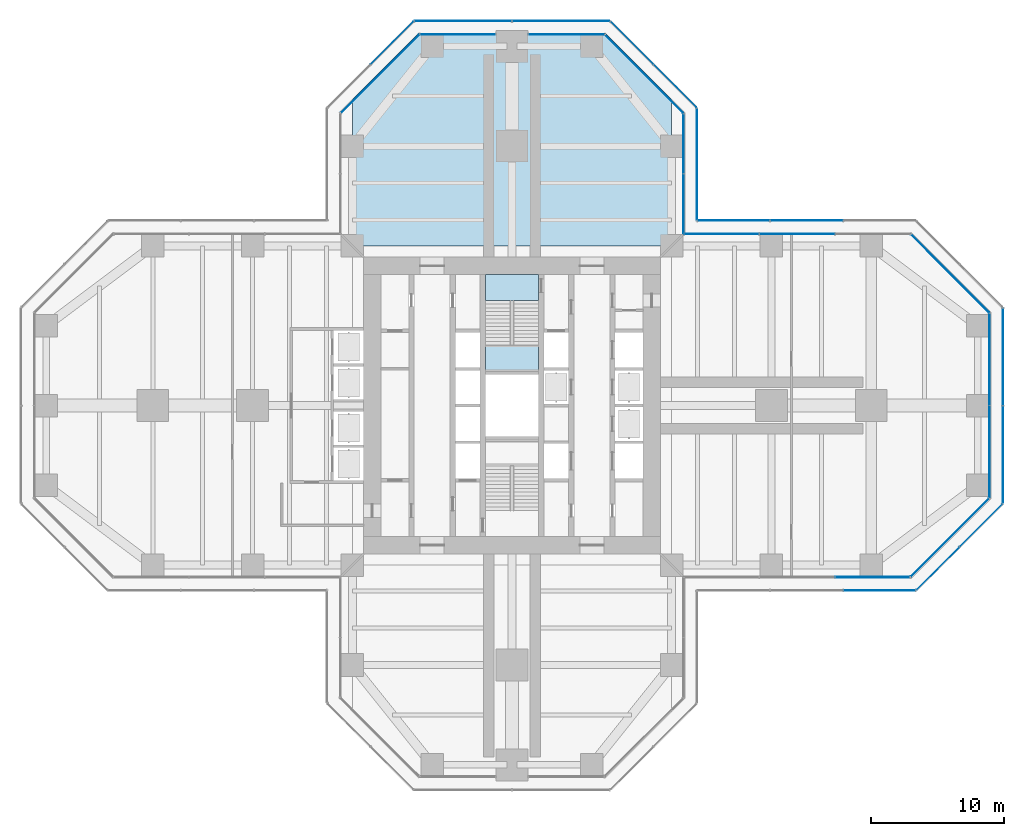
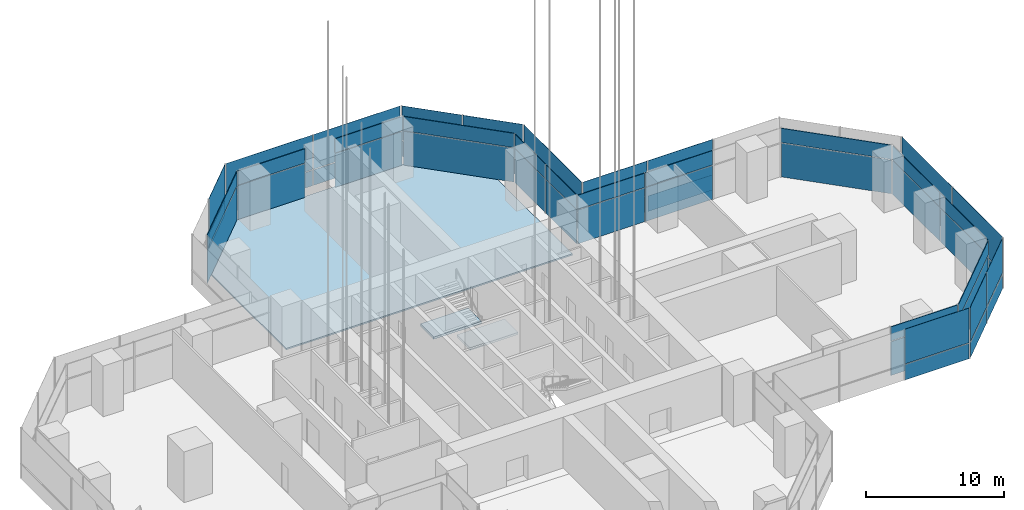
# One storey, part 13 of 34: 52 plates, 3 slabs, 19 elements without a shape of their own.
"""IFC4 building model written with IfcOpenShell, lengths in metres."""

from ifc_helpers import new_model, si_unit, direction, frame, origin, origin_2d, place, context, subcontext, project, spatial, polyline, rectangle, outline, extrude, material, layer, layer_set, type_object, element, aggregate, save


model = new_model("IFC4")

# Units and contexts
model_context = context("Model", 3, precision=1e-05, world=origin(), true_north=direction((0.0, 1.0)))
body_context = subcontext(model_context, "Body", "Model", "MODEL_VIEW")
ifc_project = project(units=[si_unit("LENGTHUNIT", "METRE"), si_unit("AREAUNIT", "SQUARE_METRE"), si_unit("VOLUMEUNIT", "CUBIC_METRE"), si_unit("PLANEANGLEUNIT", "RADIAN"), si_unit("MASSUNIT", "GRAM", prefix="KILO")], contexts=[model_context])

# Site, building, storey
site_placement = place(None, origin())
site = spatial("IfcSite", under=ifc_project, at=site_placement, CompositionType="ELEMENT")
building_placement = place(site_placement, origin())
building = spatial("IfcBuilding", under=site, at=building_placement, Name="Mizan Broadcast Tower", CompositionType="ELEMENT")
storey_placement = place(building_placement, frame((0.0, 0.0, 194.39990234375)))
storey = spatial("IfcBuildingStorey", under=building, at=storey_placement, Name="L45", CompositionType="ELEMENT", Elevation=194.39990234375)

# Slab
ifc_material_1 = material(Name="Concrete C32/40", Category="concrete")
ifc_layer_1 = layer(ifc_material_1, 0.1298828125)
ifc_layer_set_1 = layer_set([ifc_layer_1], Name="Concrete C32/40")
slab_type_1 = type_object("IfcSlabType", Name="COMPOSITE DECK SLAB 130", PredefinedType="FLOOR", material=ifc_layer_set_1)
slab_1_placement = place(storey_placement, frame((0.0, 0.0, -0.1298828125)))
element("IfcSlab", 1, at=slab_1_placement, inside=storey, type_object=slab_type_1, Name="Floor slab L45 north arm", PredefinedType="FLOOR", context=body_context, shape_type="SweptSolid", body=[
    extrude(outline(polyline([(-7.0, 28.0), (-12.0, 23.0), (-12.0, 12.0), (12.0, 12.0), (12.0, 23.0), (7.0, 28.0), (-7.0, 28.0)])), origin(), (0.0, 0.0, 1.0), 0.1298828125),
])

# Curtain wall, plate
ifc_material_2 = material(Name="Aluminium framed glazing", Category="aluminium")
curtain_wall_type_1 = type_object("IfcCurtainWallType", Name="INNER SKIN HIGH ZONE", PredefinedType="USERDEFINED", material=ifc_material_2)
curtain_wall_1_placement = place(storey_placement, origin())
curtain_wall_1 = element("IfcCurtainWall", 2, at=curtain_wall_1_placement, inside=storey, type_object=curtain_wall_type_1, Name="Inner skin high zone L45 E side", ObjectType="INNER SKIN HIGH ZONE", PredefinedType="USERDEFINED")
ifc_material_3 = material(Name="Double glazing, clear low-e", Category="glass")
ifc_layer_2 = layer(ifc_material_3, 0.028076171875)
ifc_layer_set_2 = layer_set([ifc_layer_2], Name="Double glazing, clear low-e")
plate_type_1 = type_object("IfcPlateType", Name="INNER SKIN GLAZING UNIT", PredefinedType="CURTAIN_PANEL", material=ifc_layer_set_2)
plate_1_placement = place(storey_placement, frame((27.1005859375, -12.89990234375, 0.0), z_axis=(0.0, 0.0, 1.0), x_axis=(1.0, 0.0, 0.0)))
plate_1 = element("IfcPlate", 3, at=plate_1_placement, type_object=plate_type_1, Name="Inner skin high zone L45 E side panel 3.1", PredefinedType="CURTAIN_PANEL", context=body_context, shape_type="SweptSolid", body=[
    extrude(rectangle(XDim=5.59619140625, YDim=0.028076171875, at=origin_2d()), origin(), (0.0, 0.0, 1.0), 3.0),
])

curtain_wall_2_placement = place(storey_placement, origin())
curtain_wall_2 = element("IfcCurtainWall", 4, at=curtain_wall_2_placement, inside=storey, type_object=curtain_wall_type_1, Name="Inner skin high zone L45 E chamfer", ObjectType="INNER SKIN HIGH ZONE", PredefinedType="USERDEFINED")
plate_2_placement = place(storey_placement, frame((32.92919921875, -9.92919921875, 0.0), z_axis=(0.0, 0.0, 1.0), x_axis=(0.707106781187, 0.707106781187, 0.0)))
plate_2 = element("IfcPlate", 5, at=plate_2_placement, type_object=plate_type_1, Name="Inner skin high zone L45 E chamfer panel 1.1", PredefinedType="CURTAIN_PANEL", context=body_context, shape_type="SweptSolid", body=[
    extrude(rectangle(XDim=8.282470703125, YDim=0.028076171875, at=origin_2d()), origin(), (0.0, 0.0, 1.0), 3.0),
])

# Curtain wall, plates
curtain_wall_3_placement = place(storey_placement, origin())
curtain_wall_3 = element("IfcCurtainWall", 6, at=curtain_wall_3_placement, inside=storey, type_object=curtain_wall_type_1, Name="Inner skin high zone L45 E end", ObjectType="INNER SKIN HIGH ZONE", PredefinedType="USERDEFINED")
plate_3_placement = place(storey_placement, frame((35.89990234375, -3.46435546875, 0.0), z_axis=(0.0, 0.0, 1.0), x_axis=(0.0, 1.0, 0.0)))
plate_3 = element("IfcPlate", 7, at=plate_3_placement, type_object=plate_type_1, Name="Inner skin high zone L45 E end panel 1.1", PredefinedType="CURTAIN_PANEL", context=body_context, shape_type="SweptSolid", body=[
    extrude(rectangle(XDim=6.86865234375, YDim=0.028076171875, at=origin_2d()), origin(), (0.0, 0.0, 1.0), 3.0),
])
plate_4_placement = place(storey_placement, frame((35.89990234375, 3.46435546875, 0.0), z_axis=(0.0, 0.0, 1.0), x_axis=(0.0, 1.0, 0.0)))
plate_4 = element("IfcPlate", 8, at=plate_4_placement, type_object=plate_type_1, Name="Inner skin high zone L45 E end panel 2.1", PredefinedType="CURTAIN_PANEL", context=body_context, shape_type="SweptSolid", body=[
    extrude(rectangle(XDim=6.86865234375, YDim=0.028076171875, at=origin_2d()), origin(), (0.0, 0.0, 1.0), 3.0),
])

# Curtain wall, plate
curtain_wall_4_placement = place(storey_placement, origin())
curtain_wall_4 = element("IfcCurtainWall", 9, at=curtain_wall_4_placement, inside=storey, type_object=curtain_wall_type_1, Name="Inner skin high zone L45 E chamfer", ObjectType="INNER SKIN HIGH ZONE", PredefinedType="USERDEFINED")
plate_5_placement = place(storey_placement, frame((32.92919921875, 9.92919921875, 0.0), z_axis=(0.0, 0.0, 1.0), x_axis=(-0.707106781187, 0.707106781187, 0.0)))
plate_5 = element("IfcPlate", 10, at=plate_5_placement, type_object=plate_type_1, Name="Inner skin high zone L45 E chamfer panel 1.1", PredefinedType="CURTAIN_PANEL", context=body_context, shape_type="SweptSolid", body=[
    extrude(rectangle(XDim=8.282470703125, YDim=0.028076171875, at=origin_2d()), origin(), (0.0, 0.0, 1.0), 3.0),
])

# Curtain wall, plates
curtain_wall_5_placement = place(storey_placement, origin())
curtain_wall_5 = element("IfcCurtainWall", 11, at=curtain_wall_5_placement, inside=storey, type_object=curtain_wall_type_1, Name="Inner skin high zone L45 E side", ObjectType="INNER SKIN HIGH ZONE", PredefinedType="USERDEFINED")
plate_6_placement = place(storey_placement, frame((21.42919921875, 12.89990234375, 0.0), z_axis=(0.0, 0.0, 1.0), x_axis=(-1.0, 0.0, 0.0)))
plate_6 = element("IfcPlate", 12, at=plate_6_placement, type_object=plate_type_1, Name="Inner skin high zone L45 E side panel 2.1", PredefinedType="CURTAIN_PANEL", context=body_context, shape_type="SweptSolid", body=[
    extrude(rectangle(XDim=5.626220703125, YDim=0.028076171875, at=origin_2d()), origin(), (0.0, 0.0, 1.0), 3.0),
])
plate_7_placement = place(storey_placement, frame((15.758056640625, 12.89990234375, 0.0), z_axis=(0.0, 0.0, 1.0), x_axis=(-1.0, 0.0, 0.0)))
plate_7 = element("IfcPlate", 13, at=plate_7_placement, type_object=plate_type_1, Name="Inner skin high zone L45 E side panel 3.1", PredefinedType="CURTAIN_PANEL", context=body_context, shape_type="SweptSolid", body=[
    extrude(rectangle(XDim=5.59619140625, YDim=0.028076171875, at=origin_2d()), origin(), (0.0, 0.0, 1.0), 3.0),
])

curtain_wall_6_placement = place(storey_placement, origin())
curtain_wall_6 = element("IfcCurtainWall", 14, at=curtain_wall_6_placement, inside=storey, type_object=curtain_wall_type_1, Name="Inner skin high zone L45 N side", ObjectType="INNER SKIN HIGH ZONE", PredefinedType="USERDEFINED")
plate_8_placement = place(storey_placement, frame((12.89990234375, 15.1796875, 0.0), z_axis=(0.0, 0.0, 1.0), x_axis=(0.0, 1.0, 0.0)))
plate_8 = element("IfcPlate", 15, at=plate_8_placement, type_object=plate_type_1, Name="Inner skin high zone L45 N side panel 1.1", PredefinedType="CURTAIN_PANEL", context=body_context, shape_type="SweptSolid", body=[
    extrude(rectangle(XDim=4.439208984375, YDim=0.028076171875, at=origin_2d()), origin(), (0.0, 0.0, 1.0), 3.0),
])
plate_9_placement = place(storey_placement, frame((12.89990234375, 19.678955078125, 0.0), z_axis=(0.0, 0.0, 1.0), x_axis=(0.0, 1.0, 0.0)))
plate_9 = element("IfcPlate", 16, at=plate_9_placement, type_object=plate_type_1, Name="Inner skin high zone L45 N side panel 2.1", PredefinedType="CURTAIN_PANEL", context=body_context, shape_type="SweptSolid", body=[
    extrude(rectangle(XDim=4.439208984375, YDim=0.028076171875, at=origin_2d()), origin(), (0.0, 0.0, 1.0), 3.0),
])

# Curtain wall, plate
curtain_wall_7_placement = place(storey_placement, origin())
curtain_wall_7 = element("IfcCurtainWall", 17, at=curtain_wall_7_placement, inside=storey, type_object=curtain_wall_type_1, Name="Inner skin high zone L45 N chamfer", ObjectType="INNER SKIN HIGH ZONE", PredefinedType="USERDEFINED")
plate_10_placement = place(storey_placement, frame((9.92919921875, 24.92919921875, 0.0), z_axis=(0.0, 0.0, 1.0), x_axis=(-0.707106781187, 0.707106781187, 0.0)))
plate_10 = element("IfcPlate", 18, at=plate_10_placement, type_object=plate_type_1, Name="Inner skin high zone L45 N chamfer panel 1.1", PredefinedType="CURTAIN_PANEL", context=body_context, shape_type="SweptSolid", body=[
    extrude(rectangle(XDim=8.282470703125, YDim=0.028076171875, at=origin_2d()), origin(), (0.0, 0.0, 1.0), 3.0),
])

curtain_wall_8_placement = place(storey_placement, origin())
curtain_wall_8 = element("IfcCurtainWall", 19, at=curtain_wall_8_placement, inside=storey, type_object=curtain_wall_type_1, Name="Inner skin high zone L45 N end", ObjectType="INNER SKIN HIGH ZONE", PredefinedType="USERDEFINED")
plate_11_placement = place(storey_placement, frame((4.079345703125, 27.89990234375, 0.0), z_axis=(0.0, 0.0, 1.0), x_axis=(-1.0, 0.0, 0.0)))
plate_11 = element("IfcPlate", 20, at=plate_11_placement, type_object=plate_type_1, Name="Inner skin high zone L45 N end panel 1.1", PredefinedType="CURTAIN_PANEL", context=body_context, shape_type="SweptSolid", body=[
    extrude(rectangle(XDim=5.638671875, YDim=0.028076171875, at=origin_2d()), origin(), (0.0, 0.0, 1.0), 3.0),
])

curtain_wall_9_placement = place(storey_placement, origin())
curtain_wall_9 = element("IfcCurtainWall", 21, at=curtain_wall_9_placement, inside=storey, type_object=curtain_wall_type_1, Name="Inner skin high zone L45 N end", ObjectType="INNER SKIN HIGH ZONE", PredefinedType="USERDEFINED")
plate_12_placement = place(storey_placement, frame((-4.079345703125, 27.89990234375, 0.0), z_axis=(0.0, 0.0, 1.0), x_axis=(-1.0, 0.0, 0.0)))
plate_12 = element("IfcPlate", 22, at=plate_12_placement, type_object=plate_type_1, Name="Inner skin high zone L45 N end panel 1.1", PredefinedType="CURTAIN_PANEL", context=body_context, shape_type="SweptSolid", body=[
    extrude(rectangle(XDim=5.638671875, YDim=0.028076171875, at=origin_2d()), origin(), (0.0, 0.0, 1.0), 3.0),
])

curtain_wall_10_placement = place(storey_placement, origin())
curtain_wall_10 = element("IfcCurtainWall", 23, at=curtain_wall_10_placement, inside=storey, type_object=curtain_wall_type_1, Name="Inner skin high zone L45 N chamfer", ObjectType="INNER SKIN HIGH ZONE", PredefinedType="USERDEFINED")
plate_13_placement = place(storey_placement, frame((-9.92919921875, 24.92919921875, 0.0), z_axis=(0.0, 0.0, 1.0), x_axis=(-0.707106781187, -0.707106781187, 0.0)))
plate_13 = element("IfcPlate", 24, at=plate_13_placement, type_object=plate_type_1, Name="Inner skin high zone L45 N chamfer panel 1.1", PredefinedType="CURTAIN_PANEL", context=body_context, shape_type="SweptSolid", body=[
    extrude(rectangle(XDim=8.282470703125, YDim=0.028076171875, at=origin_2d()), origin(), (0.0, 0.0, 1.0), 3.0),
])

# Plate
ifc_material_4 = material(Name="Insulated aluminium spandrel panel, pale anodised", Category="aluminium")
ifc_layer_3 = layer(ifc_material_4, 0.050048828125)
ifc_layer_set_3 = layer_set([ifc_layer_3], Name="Insulated aluminium spandrel panel, pale anodised")
plate_type_2 = type_object("IfcPlateType", Name="INNER SKIN SPANDREL PANEL", PredefinedType="CURTAIN_PANEL", material=ifc_layer_set_3)
plate_14_placement = place(storey_placement, frame((27.1005859375, -12.89990234375, 3.06005859375), z_axis=(0.0, 0.0, 1.0), x_axis=(1.0, 0.0, 0.0)))
plate_14 = element("IfcPlate", 25, at=plate_14_placement, type_object=plate_type_2, Name="Inner skin high zone L45 E side panel 3.2", PredefinedType="CURTAIN_PANEL", context=body_context, shape_type="SweptSolid", body=[
    extrude(rectangle(XDim=5.59619140625, YDim=0.050048828125, at=origin_2d()), origin(), (0.0, 0.0, 1.0), 1.260009765625),
])

aggregate(curtain_wall_1, [plate_1, plate_14])

plate_15_placement = place(storey_placement, frame((32.92919921875, -9.92919921875, 3.06005859375), z_axis=(0.0, 0.0, 1.0), x_axis=(0.707106781187, 0.707106781187, 0.0)))
plate_15 = element("IfcPlate", 26, at=plate_15_placement, type_object=plate_type_2, Name="Inner skin high zone L45 E chamfer panel 1.2", PredefinedType="CURTAIN_PANEL", context=body_context, shape_type="SweptSolid", body=[
    extrude(rectangle(XDim=8.282470703125, YDim=0.050048828125, at=origin_2d()), origin(), (0.0, 0.0, 1.0), 1.260009765625),
])

aggregate(curtain_wall_2, [plate_2, plate_15])

plate_16_placement = place(storey_placement, frame((35.89990234375, -3.46435546875, 3.06005859375), z_axis=(0.0, 0.0, 1.0), x_axis=(0.0, 1.0, 0.0)))
plate_16 = element("IfcPlate", 27, at=plate_16_placement, type_object=plate_type_2, Name="Inner skin high zone L45 E end panel 1.2", PredefinedType="CURTAIN_PANEL", context=body_context, shape_type="SweptSolid", body=[
    extrude(rectangle(XDim=6.86865234375, YDim=0.050048828125, at=origin_2d()), origin(), (0.0, 0.0, 1.0), 1.260009765625),
])

plate_17_placement = place(storey_placement, frame((35.89990234375, 3.46435546875, 3.06005859375), z_axis=(0.0, 0.0, 1.0), x_axis=(0.0, 1.0, 0.0)))
plate_17 = element("IfcPlate", 28, at=plate_17_placement, type_object=plate_type_2, Name="Inner skin high zone L45 E end panel 2.2", PredefinedType="CURTAIN_PANEL", context=body_context, shape_type="SweptSolid", body=[
    extrude(rectangle(XDim=6.86865234375, YDim=0.050048828125, at=origin_2d()), origin(), (0.0, 0.0, 1.0), 1.260009765625),
])

aggregate(curtain_wall_3, [plate_3, plate_16, plate_4, plate_17])

plate_18_placement = place(storey_placement, frame((32.92919921875, 9.92919921875, 3.06005859375), z_axis=(0.0, 0.0, 1.0), x_axis=(-0.707106781187, 0.707106781187, 0.0)))
plate_18 = element("IfcPlate", 29, at=plate_18_placement, type_object=plate_type_2, Name="Inner skin high zone L45 E chamfer panel 1.2", PredefinedType="CURTAIN_PANEL", context=body_context, shape_type="SweptSolid", body=[
    extrude(rectangle(XDim=8.282470703125, YDim=0.050048828125, at=origin_2d()), origin(), (0.0, 0.0, 1.0), 1.260009765625),
])

aggregate(curtain_wall_4, [plate_5, plate_18])

plate_19_placement = place(storey_placement, frame((21.42919921875, 12.89990234375, 3.06005859375), z_axis=(0.0, 0.0, 1.0), x_axis=(-1.0, 0.0, 0.0)))
plate_19 = element("IfcPlate", 30, at=plate_19_placement, type_object=plate_type_2, Name="Inner skin high zone L45 E side panel 2.2", PredefinedType="CURTAIN_PANEL", context=body_context, shape_type="SweptSolid", body=[
    extrude(rectangle(XDim=5.626220703125, YDim=0.050048828125, at=origin_2d()), origin(), (0.0, 0.0, 1.0), 1.260009765625),
])

plate_20_placement = place(storey_placement, frame((15.758056640625, 12.89990234375, 3.06005859375), z_axis=(0.0, 0.0, 1.0), x_axis=(-1.0, 0.0, 0.0)))
plate_20 = element("IfcPlate", 31, at=plate_20_placement, type_object=plate_type_2, Name="Inner skin high zone L45 E side panel 3.2", PredefinedType="CURTAIN_PANEL", context=body_context, shape_type="SweptSolid", body=[
    extrude(rectangle(XDim=5.59619140625, YDim=0.050048828125, at=origin_2d()), origin(), (0.0, 0.0, 1.0), 1.260009765625),
])

aggregate(curtain_wall_5, [plate_6, plate_19, plate_7, plate_20])

plate_21_placement = place(storey_placement, frame((12.89990234375, 15.1796875, 3.06005859375), z_axis=(0.0, 0.0, 1.0), x_axis=(0.0, 1.0, 0.0)))
plate_21 = element("IfcPlate", 32, at=plate_21_placement, type_object=plate_type_2, Name="Inner skin high zone L45 N side panel 1.2", PredefinedType="CURTAIN_PANEL", context=body_context, shape_type="SweptSolid", body=[
    extrude(rectangle(XDim=4.439208984375, YDim=0.050048828125, at=origin_2d()), origin(), (0.0, 0.0, 1.0), 1.260009765625),
])

plate_22_placement = place(storey_placement, frame((12.89990234375, 19.678955078125, 3.06005859375), z_axis=(0.0, 0.0, 1.0), x_axis=(0.0, 1.0, 0.0)))
plate_22 = element("IfcPlate", 33, at=plate_22_placement, type_object=plate_type_2, Name="Inner skin high zone L45 N side panel 2.2", PredefinedType="CURTAIN_PANEL", context=body_context, shape_type="SweptSolid", body=[
    extrude(rectangle(XDim=4.439208984375, YDim=0.050048828125, at=origin_2d()), origin(), (0.0, 0.0, 1.0), 1.260009765625),
])

aggregate(curtain_wall_6, [plate_8, plate_21, plate_9, plate_22])

plate_23_placement = place(storey_placement, frame((9.92919921875, 24.92919921875, 3.06005859375), z_axis=(0.0, 0.0, 1.0), x_axis=(-0.707106781187, 0.707106781187, 0.0)))
plate_23 = element("IfcPlate", 34, at=plate_23_placement, type_object=plate_type_2, Name="Inner skin high zone L45 N chamfer panel 1.2", PredefinedType="CURTAIN_PANEL", context=body_context, shape_type="SweptSolid", body=[
    extrude(rectangle(XDim=8.282470703125, YDim=0.050048828125, at=origin_2d()), origin(), (0.0, 0.0, 1.0), 1.260009765625),
])

aggregate(curtain_wall_7, [plate_10, plate_23])

plate_24_placement = place(storey_placement, frame((4.079345703125, 27.89990234375, 3.06005859375), z_axis=(0.0, 0.0, 1.0), x_axis=(-1.0, 0.0, 0.0)))
plate_24 = element("IfcPlate", 35, at=plate_24_placement, type_object=plate_type_2, Name="Inner skin high zone L45 N end panel 1.2", PredefinedType="CURTAIN_PANEL", context=body_context, shape_type="SweptSolid", body=[
    extrude(rectangle(XDim=5.638671875, YDim=0.050048828125, at=origin_2d()), origin(), (0.0, 0.0, 1.0), 1.260009765625),
])

aggregate(curtain_wall_8, [plate_11, plate_24])

plate_25_placement = place(storey_placement, frame((-4.079345703125, 27.89990234375, 3.06005859375), z_axis=(0.0, 0.0, 1.0), x_axis=(-1.0, 0.0, 0.0)))
plate_25 = element("IfcPlate", 36, at=plate_25_placement, type_object=plate_type_2, Name="Inner skin high zone L45 N end panel 1.2", PredefinedType="CURTAIN_PANEL", context=body_context, shape_type="SweptSolid", body=[
    extrude(rectangle(XDim=5.638671875, YDim=0.050048828125, at=origin_2d()), origin(), (0.0, 0.0, 1.0), 1.260009765625),
])

aggregate(curtain_wall_9, [plate_12, plate_25])

plate_26_placement = place(storey_placement, frame((-9.92919921875, 24.92919921875, 3.06005859375), z_axis=(0.0, 0.0, 1.0), x_axis=(-0.707106781187, -0.707106781187, 0.0)))
plate_26 = element("IfcPlate", 37, at=plate_26_placement, type_object=plate_type_2, Name="Inner skin high zone L45 N chamfer panel 1.2", PredefinedType="CURTAIN_PANEL", context=body_context, shape_type="SweptSolid", body=[
    extrude(rectangle(XDim=8.282470703125, YDim=0.050048828125, at=origin_2d()), origin(), (0.0, 0.0, 1.0), 1.260009765625),
])

aggregate(curtain_wall_10, [plate_13, plate_26])

# Curtain wall, plates
ifc_material_5 = material(Name="Aluminium framed glazing", Category="aluminium")
curtain_wall_type_2 = type_object("IfcCurtainWallType", Name="OUTER SKIN", PredefinedType="USERDEFINED", material=ifc_material_5)
curtain_wall_11_placement = place(storey_placement, origin())
curtain_wall_11 = element("IfcCurtainWall", 38, at=curtain_wall_11_placement, inside=storey, type_object=curtain_wall_type_2, Name="Outer skin L45 E side", ObjectType="OUTER SKIN", PredefinedType="USERDEFINED")
ifc_material_6 = material(Name="Laminated clear glass", Category="glass")
ifc_layer_4 = layer(ifc_material_6, 0.02001953125)
ifc_layer_set_4 = layer_set([ifc_layer_4], Name="Laminated clear glass")
plate_type_3 = type_object("IfcPlateType", Name="OUTER SKIN CLEAR GLASS", PredefinedType="CURTAIN_PANEL", material=ifc_layer_set_4)
plate_27_placement = place(storey_placement, frame((27.607421875, -13.89990234375, 0.0), z_axis=(0.0, 0.0, 1.0), x_axis=(1.0, 0.0, 0.0)))
plate_27 = element("IfcPlate", 39, at=plate_27_placement, type_object=plate_type_3, Name="Outer skin L45 E side panel 3.1", PredefinedType="CURTAIN_PANEL", context=body_context, shape_type="SweptSolid", body=[
    extrude(rectangle(XDim=5.370849609375, YDim=0.02001953125, at=origin_2d()), origin(), (0.0, 0.0, 1.0), 1.3701171875),
])
plate_28_placement = place(storey_placement, frame((27.607421875, -13.89990234375, 1.43017578125), z_axis=(0.0, 0.0, 1.0), x_axis=(1.0, 0.0, 0.0)))
plate_28 = element("IfcPlate", 40, at=plate_28_placement, type_object=plate_type_3, Name="Outer skin L45 E side panel 3.2", PredefinedType="CURTAIN_PANEL", context=body_context, shape_type="SweptSolid", body=[
    extrude(rectangle(XDim=5.370849609375, YDim=0.02001953125, at=origin_2d()), origin(), (0.0, 0.0, 1.0), 3.070068359375),
])
aggregate(curtain_wall_11, [plate_27, plate_28])

curtain_wall_12_placement = place(storey_placement, origin())
curtain_wall_12 = element("IfcCurtainWall", 41, at=curtain_wall_12_placement, inside=storey, type_object=curtain_wall_type_2, Name="Outer skin L45 E chamfer", ObjectType="OUTER SKIN", PredefinedType="USERDEFINED")
plate_29_placement = place(storey_placement, frame((32.018798828125, -12.254150390625, 0.0), z_axis=(0.0, 0.0, 1.0), x_axis=(0.707106781187, 0.707106781187, 0.0)))
plate_29 = element("IfcPlate", 42, at=plate_29_placement, type_object=plate_type_3, Name="Outer skin L45 E chamfer panel 1.1", PredefinedType="CURTAIN_PANEL", context=body_context, shape_type="SweptSolid", body=[
    extrude(rectangle(XDim=4.495361328125, YDim=0.02001953125, at=origin_2d()), origin(), (0.0, 0.0, 1.0), 1.3701171875),
])
plate_30_placement = place(storey_placement, frame((32.018798828125, -12.254150390625, 1.43017578125), z_axis=(0.0, 0.0, 1.0), x_axis=(0.707106781187, 0.707106781187, 0.0)))
plate_30 = element("IfcPlate", 43, at=plate_30_placement, type_object=plate_type_3, Name="Outer skin L45 E chamfer panel 1.2", PredefinedType="CURTAIN_PANEL", context=body_context, shape_type="SweptSolid", body=[
    extrude(rectangle(XDim=4.495361328125, YDim=0.02001953125, at=origin_2d()), origin(), (0.0, 0.0, 1.0), 3.070068359375),
])

curtain_wall_13_placement = place(storey_placement, origin())
curtain_wall_13 = element("IfcCurtainWall", 44, at=curtain_wall_13_placement, inside=storey, type_object=curtain_wall_type_2, Name="Outer skin L45 E end", ObjectType="OUTER SKIN", PredefinedType="USERDEFINED")
plate_31_placement = place(storey_placement, frame((36.89990234375, -3.66650390625, 0.0), z_axis=(0.0, 0.0, 1.0), x_axis=(0.0, 1.0, 0.0)))
plate_31 = element("IfcPlate", 45, at=plate_31_placement, type_object=plate_type_3, Name="Outer skin L45 E end panel 1.1", PredefinedType="CURTAIN_PANEL", context=body_context, shape_type="SweptSolid", body=[
    extrude(rectangle(XDim=7.252685546875, YDim=0.02001953125, at=origin_2d()), origin(), (0.0, 0.0, 1.0), 1.3701171875),
])
plate_32_placement = place(storey_placement, frame((36.89990234375, -3.66650390625, 1.43017578125), z_axis=(0.0, 0.0, 1.0), x_axis=(0.0, 1.0, 0.0)))
plate_32 = element("IfcPlate", 46, at=plate_32_placement, type_object=plate_type_3, Name="Outer skin L45 E end panel 1.2", PredefinedType="CURTAIN_PANEL", context=body_context, shape_type="SweptSolid", body=[
    extrude(rectangle(XDim=7.252685546875, YDim=0.02001953125, at=origin_2d()), origin(), (0.0, 0.0, 1.0), 3.070068359375),
])

curtain_wall_14_placement = place(storey_placement, origin())
curtain_wall_14 = element("IfcCurtainWall", 47, at=curtain_wall_14_placement, inside=storey, type_object=curtain_wall_type_2, Name="Outer skin L45 E side", ObjectType="OUTER SKIN", PredefinedType="USERDEFINED")
plate_33_placement = place(storey_placement, frame((22.136474609375, 13.89990234375, 0.0), z_axis=(0.0, 0.0, 1.0), x_axis=(-1.0, 0.0, 0.0)))
plate_33 = element("IfcPlate", 48, at=plate_33_placement, type_object=plate_type_3, Name="Outer skin L45 E side panel 2.1", PredefinedType="CURTAIN_PANEL", context=body_context, shape_type="SweptSolid", body=[
    extrude(rectangle(XDim=5.410888671875, YDim=0.02001953125, at=origin_2d()), origin(), (0.0, 0.0, 1.0), 1.3701171875),
])
plate_34_placement = place(storey_placement, frame((22.136474609375, 13.89990234375, 1.43017578125), z_axis=(0.0, 0.0, 1.0), x_axis=(-1.0, 0.0, 0.0)))
plate_34 = element("IfcPlate", 49, at=plate_34_placement, type_object=plate_type_3, Name="Outer skin L45 E side panel 2.2", PredefinedType="CURTAIN_PANEL", context=body_context, shape_type="SweptSolid", body=[
    extrude(rectangle(XDim=5.410888671875, YDim=0.02001953125, at=origin_2d()), origin(), (0.0, 0.0, 1.0), 3.070068359375),
])
plate_35_placement = place(storey_placement, frame((16.66552734375, 13.89990234375, 0.0), z_axis=(0.0, 0.0, 1.0), x_axis=(-1.0, 0.0, 0.0)))
plate_35 = element("IfcPlate", 50, at=plate_35_placement, type_object=plate_type_3, Name="Outer skin L45 E side panel 3.1", PredefinedType="CURTAIN_PANEL", context=body_context, shape_type="SweptSolid", body=[
    extrude(rectangle(XDim=5.370849609375, YDim=0.02001953125, at=origin_2d()), origin(), (0.0, 0.0, 1.0), 1.3701171875),
])
plate_36_placement = place(storey_placement, frame((16.66552734375, 13.89990234375, 1.43017578125), z_axis=(0.0, 0.0, 1.0), x_axis=(-1.0, 0.0, 0.0)))
plate_36 = element("IfcPlate", 51, at=plate_36_placement, type_object=plate_type_3, Name="Outer skin L45 E side panel 3.2", PredefinedType="CURTAIN_PANEL", context=body_context, shape_type="SweptSolid", body=[
    extrude(rectangle(XDim=5.370849609375, YDim=0.02001953125, at=origin_2d()), origin(), (0.0, 0.0, 1.0), 3.070068359375),
])
aggregate(curtain_wall_14, [plate_33, plate_34, plate_35, plate_36])

curtain_wall_15_placement = place(storey_placement, origin())
curtain_wall_15 = element("IfcCurtainWall", 52, at=curtain_wall_15_placement, inside=storey, type_object=curtain_wall_type_2, Name="Outer skin L45 N side", ObjectType="OUTER SKIN", PredefinedType="USERDEFINED")
plate_37_placement = place(storey_placement, frame((13.89990234375, 18.136474609375, 0.0), z_axis=(0.0, 0.0, 1.0), x_axis=(0.0, 1.0, 0.0)))
plate_37 = element("IfcPlate", 53, at=plate_37_placement, type_object=plate_type_3, Name="Outer skin L45 N side panel 1.1", PredefinedType="CURTAIN_PANEL", context=body_context, shape_type="SweptSolid", body=[
    extrude(rectangle(XDim=8.312744140625, YDim=0.02001953125, at=origin_2d()), origin(), (0.0, 0.0, 1.0), 1.3701171875),
])
plate_38_placement = place(storey_placement, frame((13.89990234375, 18.136474609375, 1.43017578125), z_axis=(0.0, 0.0, 1.0), x_axis=(0.0, 1.0, 0.0)))
plate_38 = element("IfcPlate", 54, at=plate_38_placement, type_object=plate_type_3, Name="Outer skin L45 N side panel 1.2", PredefinedType="CURTAIN_PANEL", context=body_context, shape_type="SweptSolid", body=[
    extrude(rectangle(XDim=8.312744140625, YDim=0.02001953125, at=origin_2d()), origin(), (0.0, 0.0, 1.0), 3.070068359375),
])
aggregate(curtain_wall_15, [plate_37, plate_38])

curtain_wall_16_placement = place(storey_placement, origin())
curtain_wall_16 = element("IfcCurtainWall", 55, at=curtain_wall_16_placement, inside=storey, type_object=curtain_wall_type_2, Name="Outer skin L45 N chamfer", ObjectType="OUTER SKIN", PredefinedType="USERDEFINED")
plate_39_placement = place(storey_placement, frame((12.254150390625, 24.018798828125, 0.0), z_axis=(0.0, 0.0, 1.0), x_axis=(-0.707106781187, 0.707106781187, 0.0)))
plate_39 = element("IfcPlate", 56, at=plate_39_placement, type_object=plate_type_3, Name="Outer skin L45 N chamfer panel 1.1", PredefinedType="CURTAIN_PANEL", context=body_context, shape_type="SweptSolid", body=[
    extrude(rectangle(XDim=4.495361328125, YDim=0.02001953125, at=origin_2d()), origin(), (0.0, 0.0, 1.0), 1.3701171875),
])
plate_40_placement = place(storey_placement, frame((12.254150390625, 24.018798828125, 1.43017578125), z_axis=(0.0, 0.0, 1.0), x_axis=(-0.707106781187, 0.707106781187, 0.0)))
plate_40 = element("IfcPlate", 57, at=plate_40_placement, type_object=plate_type_3, Name="Outer skin L45 N chamfer panel 1.2", PredefinedType="CURTAIN_PANEL", context=body_context, shape_type="SweptSolid", body=[
    extrude(rectangle(XDim=4.495361328125, YDim=0.02001953125, at=origin_2d()), origin(), (0.0, 0.0, 1.0), 3.070068359375),
])

curtain_wall_17_placement = place(storey_placement, origin())
curtain_wall_17 = element("IfcCurtainWall", 58, at=curtain_wall_17_placement, inside=storey, type_object=curtain_wall_type_2, Name="Outer skin L45 N end", ObjectType="OUTER SKIN", PredefinedType="USERDEFINED")
plate_41_placement = place(storey_placement, frame((3.66650390625, 28.89990234375, 0.0), z_axis=(0.0, 0.0, 1.0), x_axis=(-1.0, 0.0, 0.0)))
plate_41 = element("IfcPlate", 59, at=plate_41_placement, type_object=plate_type_3, Name="Outer skin L45 N end panel 1.1", PredefinedType="CURTAIN_PANEL", context=body_context, shape_type="SweptSolid", body=[
    extrude(rectangle(XDim=7.252685546875, YDim=0.02001953125, at=origin_2d()), origin(), (0.0, 0.0, 1.0), 1.3701171875),
])
plate_42_placement = place(storey_placement, frame((-3.66650390625, 28.89990234375, 0.0), z_axis=(0.0, 0.0, 1.0), x_axis=(-1.0, 0.0, 0.0)))
plate_42 = element("IfcPlate", 60, at=plate_42_placement, type_object=plate_type_3, Name="Outer skin L45 N end panel 2.1", PredefinedType="CURTAIN_PANEL", context=body_context, shape_type="SweptSolid", body=[
    extrude(rectangle(XDim=7.252685546875, YDim=0.02001953125, at=origin_2d()), origin(), (0.0, 0.0, 1.0), 1.3701171875),
])

curtain_wall_18_placement = place(storey_placement, origin())
curtain_wall_18 = element("IfcCurtainWall", 61, at=curtain_wall_18_placement, inside=storey, type_object=curtain_wall_type_2, Name="Outer skin L45 N chamfer", ObjectType="OUTER SKIN", PredefinedType="USERDEFINED")
plate_43_placement = place(storey_placement, frame((-9.018798828125, 27.254150390625, 0.0), z_axis=(0.0, 0.0, 1.0), x_axis=(-0.707106781187, -0.707106781187, 0.0)))
plate_43 = element("IfcPlate", 62, at=plate_43_placement, type_object=plate_type_3, Name="Outer skin L45 N chamfer panel 1.1", PredefinedType="CURTAIN_PANEL", context=body_context, shape_type="SweptSolid", body=[
    extrude(rectangle(XDim=4.495361328125, YDim=0.02001953125, at=origin_2d()), origin(), (0.0, 0.0, 1.0), 1.3701171875),
])
plate_44_placement = place(storey_placement, frame((-9.018798828125, 27.254150390625, 1.43017578125), z_axis=(0.0, 0.0, 1.0), x_axis=(-0.707106781187, -0.707106781187, 0.0)))
plate_44 = element("IfcPlate", 63, at=plate_44_placement, type_object=plate_type_3, Name="Outer skin L45 N chamfer panel 1.2", PredefinedType="CURTAIN_PANEL", context=body_context, shape_type="SweptSolid", body=[
    extrude(rectangle(XDim=4.495361328125, YDim=0.02001953125, at=origin_2d()), origin(), (0.0, 0.0, 1.0), 3.070068359375),
])
aggregate(curtain_wall_18, [plate_43, plate_44])

# Plate
ifc_material_7 = material(Name="Perforated aluminium, pale anodised", Category="aluminium")
ifc_layer_5 = layer(ifc_material_7, 0.011962890625)
ifc_layer_set_5 = layer_set([ifc_layer_5], Name="Perforated aluminium, pale anodised")
plate_type_4 = type_object("IfcPlateType", Name="OUTER SKIN PERFORATED SCREEN", PredefinedType="USERDEFINED", material=ifc_layer_set_5)
plate_45_placement = place(storey_placement, frame((35.254150390625, -9.018798828125, 0.0), z_axis=(0.0, 0.0, 1.0), x_axis=(0.707106781187, 0.707106781187, 0.0)))
plate_45 = element("IfcPlate", 64, at=plate_45_placement, type_object=plate_type_4, Name="Outer skin L45 E chamfer panel 2.1", ObjectType="SCREEN", PredefinedType="USERDEFINED", context=body_context, shape_type="SweptSolid", body=[
    extrude(rectangle(XDim=4.495361328125, YDim=0.011962890625, at=origin_2d()), origin(), (0.0, 0.0, 1.0), 1.3701171875),
])

plate_46_placement = place(storey_placement, frame((35.254150390625, -9.018798828125, 1.43017578125), z_axis=(0.0, 0.0, 1.0), x_axis=(0.707106781187, 0.707106781187, 0.0)))
plate_46 = element("IfcPlate", 65, at=plate_46_placement, type_object=plate_type_4, Name="Outer skin L45 E chamfer panel 2.2", ObjectType="SCREEN", PredefinedType="USERDEFINED", context=body_context, shape_type="SweptSolid", body=[
    extrude(rectangle(XDim=4.495361328125, YDim=0.011962890625, at=origin_2d()), origin(), (0.0, 0.0, 1.0), 3.070068359375),
])

aggregate(curtain_wall_12, [plate_29, plate_30, plate_45, plate_46])

plate_47_placement = place(storey_placement, frame((36.89990234375, 3.66650390625, 0.0), z_axis=(0.0, 0.0, 1.0), x_axis=(0.0, 1.0, 0.0)))
plate_47 = element("IfcPlate", 66, at=plate_47_placement, type_object=plate_type_4, Name="Outer skin L45 E end panel 2.1", ObjectType="SCREEN", PredefinedType="USERDEFINED", context=body_context, shape_type="SweptSolid", body=[
    extrude(rectangle(XDim=7.252685546875, YDim=0.011962890625, at=origin_2d()), origin(), (0.0, 0.0, 1.0), 1.3701171875),
])

plate_48_placement = place(storey_placement, frame((36.89990234375, 3.66650390625, 1.43017578125), z_axis=(0.0, 0.0, 1.0), x_axis=(0.0, 1.0, 0.0)))
plate_48 = element("IfcPlate", 67, at=plate_48_placement, type_object=plate_type_4, Name="Outer skin L45 E end panel 2.2", ObjectType="SCREEN", PredefinedType="USERDEFINED", context=body_context, shape_type="SweptSolid", body=[
    extrude(rectangle(XDim=7.252685546875, YDim=0.011962890625, at=origin_2d()), origin(), (0.0, 0.0, 1.0), 3.070068359375),
])

aggregate(curtain_wall_13, [plate_31, plate_32, plate_47, plate_48])

plate_49_placement = place(storey_placement, frame((9.018798828125, 27.254150390625, 0.0), z_axis=(0.0, 0.0, 1.0), x_axis=(-0.707106781187, 0.707106781187, 0.0)))
plate_49 = element("IfcPlate", 68, at=plate_49_placement, type_object=plate_type_4, Name="Outer skin L45 N chamfer panel 2.1", ObjectType="SCREEN", PredefinedType="USERDEFINED", context=body_context, shape_type="SweptSolid", body=[
    extrude(rectangle(XDim=4.495361328125, YDim=0.011962890625, at=origin_2d()), origin(), (0.0, 0.0, 1.0), 1.3701171875),
])

plate_50_placement = place(storey_placement, frame((9.018798828125, 27.254150390625, 1.43017578125), z_axis=(0.0, 0.0, 1.0), x_axis=(-0.707106781187, 0.707106781187, 0.0)))
plate_50 = element("IfcPlate", 69, at=plate_50_placement, type_object=plate_type_4, Name="Outer skin L45 N chamfer panel 2.2", ObjectType="SCREEN", PredefinedType="USERDEFINED", context=body_context, shape_type="SweptSolid", body=[
    extrude(rectangle(XDim=4.495361328125, YDim=0.011962890625, at=origin_2d()), origin(), (0.0, 0.0, 1.0), 3.070068359375),
])

aggregate(curtain_wall_16, [plate_39, plate_40, plate_49, plate_50])

plate_51_placement = place(storey_placement, frame((3.66650390625, 28.89990234375, 1.43017578125), z_axis=(0.0, 0.0, 1.0), x_axis=(-1.0, 0.0, 0.0)))
plate_51 = element("IfcPlate", 70, at=plate_51_placement, type_object=plate_type_4, Name="Outer skin L45 N end panel 1.2", ObjectType="SCREEN", PredefinedType="USERDEFINED", context=body_context, shape_type="SweptSolid", body=[
    extrude(rectangle(XDim=7.252685546875, YDim=0.011962890625, at=origin_2d()), origin(), (0.0, 0.0, 1.0), 3.070068359375),
])

plate_52_placement = place(storey_placement, frame((-3.66650390625, 28.89990234375, 1.43017578125), z_axis=(0.0, 0.0, 1.0), x_axis=(-1.0, 0.0, 0.0)))
plate_52 = element("IfcPlate", 71, at=plate_52_placement, type_object=plate_type_4, Name="Outer skin L45 N end panel 2.2", ObjectType="SCREEN", PredefinedType="USERDEFINED", context=body_context, shape_type="SweptSolid", body=[
    extrude(rectangle(XDim=7.252685546875, YDim=0.011962890625, at=origin_2d()), origin(), (0.0, 0.0, 1.0), 3.070068359375),
])

aggregate(curtain_wall_17, [plate_41, plate_51, plate_42, plate_52])

# Stair, slabs
ifc_material_8 = material(Name="Concrete C40/50", Category="concrete")
stair_type = type_object("IfcStairType", Name="EXIT STAIR", PredefinedType="HALF_TURN_STAIR", material=ifc_material_8)
stair_placement = place(storey_placement, origin())
stair = element("IfcStair", 72, at=stair_placement, inside=storey, type_object=stair_type, Name="Stair B L45", PredefinedType="HALF_TURN_STAIR")
ifc_material_9 = material(Name="Concrete C40/50", Category="concrete")
ifc_layer_6 = layer(ifc_material_9, 0.199951171875)
ifc_layer_set_6 = layer_set([ifc_layer_6], Name="Concrete C40/50")
slab_type_2 = type_object("IfcSlabType", Name="STAIR LANDING 200", PredefinedType="LANDING", material=ifc_layer_set_6)
slab_2_placement = place(storey_placement, frame((0.0, 0.0, -0.199951171875)))
slab_2 = element("IfcSlab", 73, at=slab_2_placement, type_object=slab_type_2, Name="B landing 1", PredefinedType="LANDING", context=body_context, shape_type="SweptSolid", body=[
    extrude(outline(polyline([(2.0, 9.85009765625), (2.0, 7.89990234375), (-2.0, 7.89990234375), (-2.0, 9.85009765625), (2.0, 9.85009765625)])), origin(), (0.0, 0.0, 1.0), 0.199951171875),
])
slab_3_placement = place(storey_placement, frame((0.0, 0.0, 2.050048828125)))
slab_3 = element("IfcSlab", 74, at=slab_3_placement, type_object=slab_type_2, Name="B landing 2", PredefinedType="LANDING", context=body_context, shape_type="SweptSolid", body=[
    extrude(outline(polyline([(2.0, 4.5400390625), (2.0, 2.574951171875), (-2.0, 2.574951171875), (-2.0, 4.5400390625), (2.0, 4.5400390625)])), origin(), (0.0, 0.0, 1.0), 0.199951171875),
])
aggregate(stair, [slab_2, slab_3])

save(model, "model.ifc")
